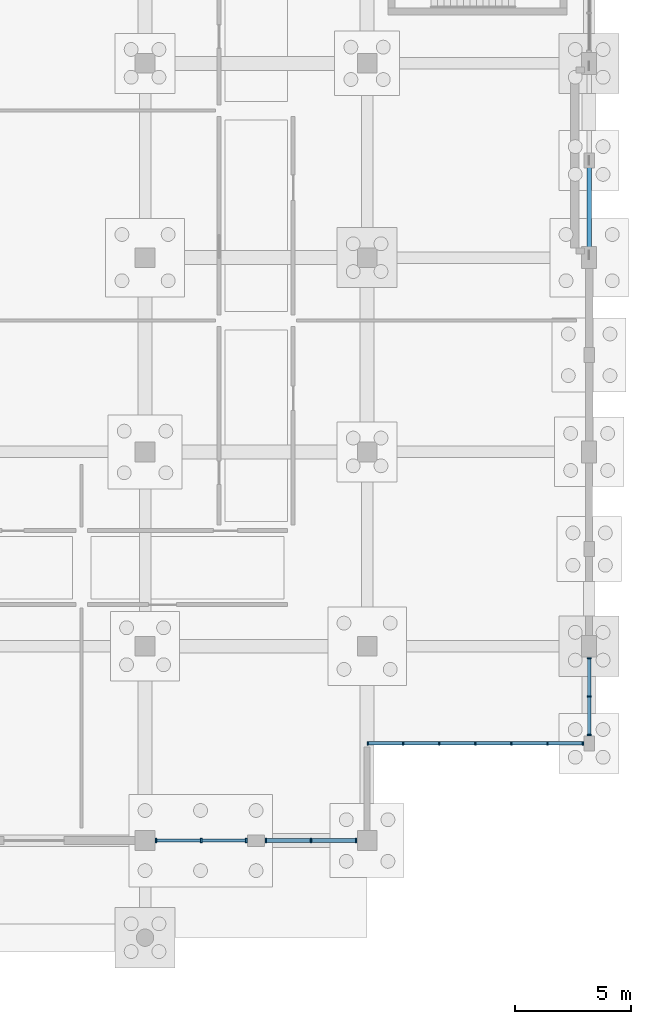
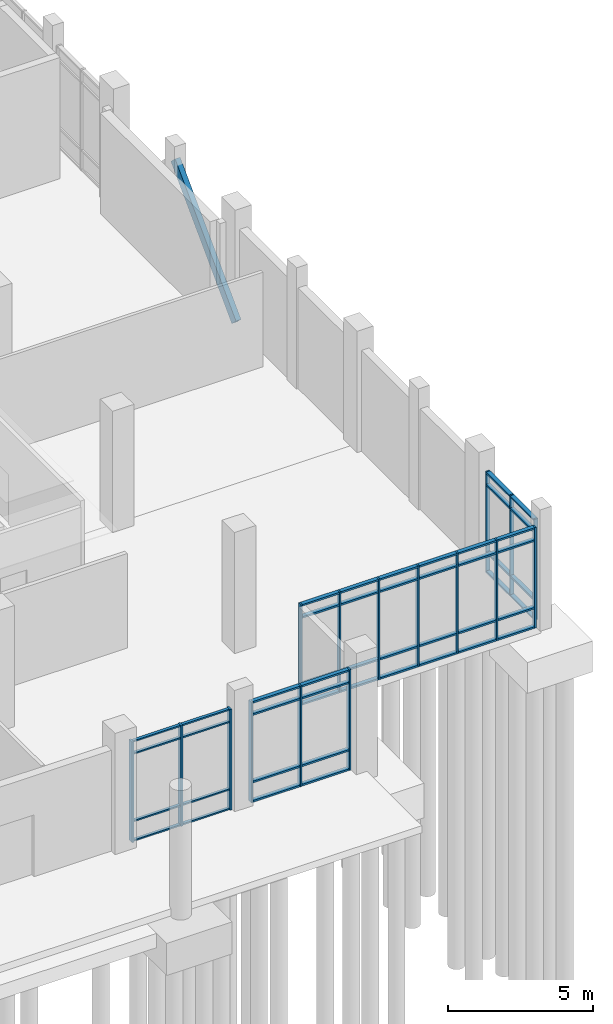
# One storey, part 57 of 136: 65 members, 4 elements without a shape of their own.
"""IFC4 building model written with IfcOpenShell, lengths in metres."""

from ifc_helpers import new_model, si_unit, direction, frame, origin, origin_2d, place, context, subcontext, project, spatial, rectangle, hollow_rectangle, extrude, material, material_profile, profile_set, type_object, element, aggregate, save


model = new_model("IFC4")

# Units and contexts
model_context = context("Model", 3, precision=1e-05, world=origin(), true_north=direction((0.0, 1.0)))
body_context = subcontext(model_context, "Body", "Model", "MODEL_VIEW")
ifc_project = project(units=[si_unit("LENGTHUNIT", "METRE"), si_unit("AREAUNIT", "SQUARE_METRE"), si_unit("VOLUMEUNIT", "CUBIC_METRE"), si_unit("PLANEANGLEUNIT", "RADIAN"), si_unit("MASSUNIT", "GRAM", prefix="KILO")], contexts=[model_context])

# Site, building, storey
site_placement = place(None, origin())
site = spatial("IfcSite", under=ifc_project, at=site_placement, CompositionType="ELEMENT")
building_placement = place(site_placement, origin())
building = spatial("IfcBuilding", under=site, at=building_placement, Name="Oolite Switchyard Hospital", CompositionType="ELEMENT")
storey_placement = place(building_placement, origin())
storey = spatial("IfcBuildingStorey", under=building, at=storey_placement, Name="L00", CompositionType="ELEMENT", Elevation=0.0)

# Curtain wall, members
ifc_material_1 = material(Name="Thermally broken aluminum frame with laminated impact glazing", Category="aluminium")
curtain_wall_type_1 = type_object("IfcCurtainWallType", Name="CW-UNIT-96X51", PredefinedType="USERDEFINED", material=ifc_material_1)
curtain_wall_1_placement = place(storey_placement, origin())
curtain_wall_1 = element("IfcCurtainWall", 1, at=curtain_wall_1_placement, inside=storey, type_object=curtain_wall_type_1, Name="L00 Unitised Curtain Wall 9", ObjectType="UNITISED", PredefinedType="USERDEFINED")
ifc_material_2 = material(Name="Aluminium 6063-T6", Category="aluminium")
ifc_material_profile_1 = material_profile(ifc_material_2, rectangle(XDim=0.159912109375, YDim=0.06005859375, at=origin_2d()), Name="CWM60X160")
ifc_profile_set_1 = profile_set([ifc_material_profile_1], Name="Aluminium 6063-T6")
member_type_1 = type_object("IfcMemberType", Name="CW-MUL-180", PredefinedType="MULLION", material=ifc_profile_set_1)
member_1_placement = place(storey_placement, frame((210.929931640625, 12.60009765625, 0.0), z_axis=(0.0, 0.0, 1.0), x_axis=(0.0, -1.0, 0.0)))
member_1 = element("IfcMember", 2, at=member_1_placement, type_object=member_type_1, Name="CW-01 mullion 1", PredefinedType="MULLION", context=body_context, shape_type="SweptSolid", body=[
    extrude(rectangle(XDim=0.159912109375, YDim=0.06005859375, at=origin_2d()), origin(), (0.0, 0.0, 1.0), 4.239990234375),
])
member_2_placement = place(storey_placement, frame((209.39990234375, 12.60009765625, 0.0), z_axis=(0.0, 0.0, 1.0), x_axis=(0.0, -1.0, 0.0)))
member_2 = element("IfcMember", 3, at=member_2_placement, type_object=member_type_1, Name="CW-01 mullion 2", PredefinedType="MULLION", context=body_context, shape_type="SweptSolid", body=[
    extrude(rectangle(XDim=0.159912109375, YDim=0.06005859375, at=origin_2d()), origin(), (0.0, 0.0, 1.0), 4.239990234375),
])
member_3_placement = place(storey_placement, frame((207.840087890625, 12.60009765625, 0.0), z_axis=(0.0, 0.0, 1.0), x_axis=(0.0, -1.0, 0.0)))
member_3 = element("IfcMember", 4, at=member_3_placement, type_object=member_type_1, Name="CW-01 mullion 3", PredefinedType="MULLION", context=body_context, shape_type="SweptSolid", body=[
    extrude(rectangle(XDim=0.159912109375, YDim=0.06005859375, at=origin_2d()), origin(), (0.0, 0.0, 1.0), 4.239990234375),
])
member_4_placement = place(storey_placement, frame((206.280029296875, 12.60009765625, 0.0), z_axis=(0.0, 0.0, 1.0), x_axis=(0.0, -1.0, 0.0)))
member_4 = element("IfcMember", 5, at=member_4_placement, type_object=member_type_1, Name="CW-01 mullion 4", PredefinedType="MULLION", context=body_context, shape_type="SweptSolid", body=[
    extrude(rectangle(XDim=0.159912109375, YDim=0.06005859375, at=origin_2d()), origin(), (0.0, 0.0, 1.0), 4.239990234375),
])
member_5_placement = place(storey_placement, frame((204.719970703125, 12.60009765625, 0.0), z_axis=(0.0, 0.0, 1.0), x_axis=(0.0, -1.0, 0.0)))
member_5 = element("IfcMember", 6, at=member_5_placement, type_object=member_type_1, Name="CW-01 mullion 5", PredefinedType="MULLION", context=body_context, shape_type="SweptSolid", body=[
    extrude(rectangle(XDim=0.159912109375, YDim=0.06005859375, at=origin_2d()), origin(), (0.0, 0.0, 1.0), 4.239990234375),
])
member_6_placement = place(storey_placement, frame((203.159912109375, 12.60009765625, 0.0), z_axis=(0.0, 0.0, 1.0), x_axis=(0.0, -1.0, 0.0)))
member_6 = element("IfcMember", 7, at=member_6_placement, type_object=member_type_1, Name="CW-01 mullion 6", PredefinedType="MULLION", context=body_context, shape_type="SweptSolid", body=[
    extrude(rectangle(XDim=0.159912109375, YDim=0.06005859375, at=origin_2d()), origin(), (0.0, 0.0, 1.0), 4.239990234375),
])
member_7_placement = place(storey_placement, frame((201.6298828125, 12.60009765625, 0.0), z_axis=(0.0, 0.0, 1.0), x_axis=(0.0, -1.0, 0.0)))
member_7 = element("IfcMember", 8, at=member_7_placement, type_object=member_type_1, Name="CW-01 mullion 7", PredefinedType="MULLION", context=body_context, shape_type="SweptSolid", body=[
    extrude(rectangle(XDim=0.159912109375, YDim=0.06005859375, at=origin_2d()), origin(), (0.0, 0.0, 1.0), 4.239990234375),
])

curtain_wall_type_2 = type_object("IfcCurtainWallType", Name="CW-UNIT-84X51", PredefinedType="USERDEFINED", material=ifc_material_1)
curtain_wall_2_placement = place(storey_placement, origin())
curtain_wall_2 = element("IfcCurtainWall", 9, at=curtain_wall_2_placement, inside=storey, type_object=curtain_wall_type_2, Name="L00 Unitised Curtain Wall 87", ObjectType="UNITISED", PredefinedType="USERDEFINED")
member_8_placement = place(storey_placement, frame((211.199951171875, 16.280029296875, 0.0), z_axis=(0.0, 0.0, 1.0), x_axis=(1.0, 0.0, 0.0)))
member_8 = element("IfcMember", 10, at=member_8_placement, type_object=member_type_1, Name="CW-06 mullion 1", PredefinedType="MULLION", context=body_context, shape_type="SweptSolid", body=[
    extrude(rectangle(XDim=0.159912109375, YDim=0.06005859375, at=origin_2d()), origin(), (0.0, 0.0, 1.0), 4.239990234375),
])
member_9_placement = place(storey_placement, frame((211.199951171875, 14.625, 0.0), z_axis=(0.0, 0.0, 1.0), x_axis=(1.0, 0.0, 0.0)))
member_9 = element("IfcMember", 11, at=member_9_placement, type_object=member_type_1, Name="CW-06 mullion 2", PredefinedType="MULLION", context=body_context, shape_type="SweptSolid", body=[
    extrude(rectangle(XDim=0.159912109375, YDim=0.06005859375, at=origin_2d()), origin(), (0.0, 0.0, 1.0), 4.239990234375),
])
member_10_placement = place(storey_placement, frame((211.199951171875, 12.969970703125, 0.0), z_axis=(0.0, 0.0, 1.0), x_axis=(1.0, 0.0, 0.0)))
member_10 = element("IfcMember", 12, at=member_10_placement, type_object=member_type_1, Name="CW-06 mullion 3", PredefinedType="MULLION", context=body_context, shape_type="SweptSolid", body=[
    extrude(rectangle(XDim=0.159912109375, YDim=0.06005859375, at=origin_2d()), origin(), (0.0, 0.0, 1.0), 4.239990234375),
])

curtain_wall_3_placement = place(storey_placement, origin())
curtain_wall_3 = element("IfcCurtainWall", 13, at=curtain_wall_3_placement, inside=storey, type_object=curtain_wall_type_2, Name="L00 Unitised Curtain Wall 7", ObjectType="UNITISED", PredefinedType="USERDEFINED")
ifc_material_profile_2 = material_profile(ifc_material_2, rectangle(XDim=0.179931640625, YDim=0.070068359375, at=origin_2d()), Name="CWM70X180")
ifc_profile_set_2 = profile_set([ifc_material_profile_2], Name="Aluminium 6063-T6")
member_type_2 = type_object("IfcMemberType", Name="CW-MUL-220", PredefinedType="MULLION", material=ifc_profile_set_2)
member_11_placement = place(storey_placement, frame((201.125, 8.39990234375, 0.0), z_axis=(0.0, 0.0, 1.0), x_axis=(0.0, -1.0, 0.0)))
member_11 = element("IfcMember", 14, at=member_11_placement, type_object=member_type_2, Name="CW-06 mullion 1", PredefinedType="MULLION", context=body_context, shape_type="SweptSolid", body=[
    extrude(rectangle(XDim=0.179931640625, YDim=0.070068359375, at=origin_2d()), origin(), (0.0, 0.0, 1.0), 4.239990234375),
])
member_12_placement = place(storey_placement, frame((199.175048828125, 8.39990234375, 0.0), z_axis=(0.0, 0.0, 1.0), x_axis=(0.0, -1.0, 0.0)))
member_12 = element("IfcMember", 15, at=member_12_placement, type_object=member_type_2, Name="CW-06 mullion 2", PredefinedType="MULLION", context=body_context, shape_type="SweptSolid", body=[
    extrude(rectangle(XDim=0.179931640625, YDim=0.070068359375, at=origin_2d()), origin(), (0.0, 0.0, 1.0), 4.239990234375),
])
member_13_placement = place(storey_placement, frame((197.22509765625, 8.39990234375, 0.0), z_axis=(0.0, 0.0, 1.0), x_axis=(0.0, -1.0, 0.0)))
member_13 = element("IfcMember", 16, at=member_13_placement, type_object=member_type_2, Name="CW-06 mullion 3", PredefinedType="MULLION", context=body_context, shape_type="SweptSolid", body=[
    extrude(rectangle(XDim=0.179931640625, YDim=0.070068359375, at=origin_2d()), origin(), (0.0, 0.0, 1.0), 4.239990234375),
])

curtain_wall_4_placement = place(storey_placement, origin())
curtain_wall_4 = element("IfcCurtainWall", 17, at=curtain_wall_4_placement, inside=storey, type_object=curtain_wall_type_2, Name="L00 Unitised Curtain Wall 8", ObjectType="UNITISED", PredefinedType="USERDEFINED")
ifc_material_profile_3 = material_profile(ifc_material_2, rectangle(XDim=0.199951171875, YDim=0.074951171875, at=origin_2d()), Name="CWM75X200")
ifc_profile_set_3 = profile_set([ifc_material_profile_3], Name="Aluminium 6063-T6")
member_type_3 = type_object("IfcMemberType", Name="CW-MUL-260", PredefinedType="MULLION", material=ifc_profile_set_3)
member_14_placement = place(storey_placement, frame((196.37255859375, 8.39990234375, 0.0), z_axis=(0.0, 0.0, 1.0), x_axis=(0.0, -1.0, 0.0)))
member_14 = element("IfcMember", 18, at=member_14_placement, type_object=member_type_3, Name="CW-06 mullion 1", PredefinedType="MULLION", context=body_context, shape_type="SweptSolid", body=[
    extrude(rectangle(XDim=0.199951171875, YDim=0.074951171875, at=origin_2d()), origin(), (0.0, 0.0, 1.0), 4.239990234375),
])
member_15_placement = place(storey_placement, frame((194.425048828125, 8.39990234375, 0.0), z_axis=(0.0, 0.0, 1.0), x_axis=(0.0, -1.0, 0.0)))
member_15 = element("IfcMember", 19, at=member_15_placement, type_object=member_type_3, Name="CW-06 mullion 2", PredefinedType="MULLION", context=body_context, shape_type="SweptSolid", body=[
    extrude(rectangle(XDim=0.199951171875, YDim=0.074951171875, at=origin_2d()), origin(), (0.0, 0.0, 1.0), 4.239990234375),
])
member_16_placement = place(storey_placement, frame((192.4775390625, 8.39990234375, 0.0), z_axis=(0.0, 0.0, 1.0), x_axis=(0.0, -1.0, 0.0)))
member_16 = element("IfcMember", 20, at=member_16_placement, type_object=member_type_3, Name="CW-06 mullion 3", PredefinedType="MULLION", context=body_context, shape_type="SweptSolid", body=[
    extrude(rectangle(XDim=0.199951171875, YDim=0.074951171875, at=origin_2d()), origin(), (0.0, 0.0, 1.0), 4.239990234375),
])
ifc_material_profile_4 = material_profile(ifc_material_2, rectangle(XDim=0.1201171875, YDim=0.06005859375, at=origin_2d()), Name="CWT60X120")
ifc_profile_set_4 = profile_set([ifc_material_profile_4], Name="Aluminium 6063-T6")
member_type_4 = type_object("IfcMemberType", Name="CW-TRN-150", PredefinedType="USERDEFINED", material=ifc_profile_set_4)
member_17_placement = place(storey_placement, frame((196.3349609375, 8.39990234375, 0.030029296875), z_axis=(-1.0, 0.0, 0.0), x_axis=(0.0, -1.0, 0.0)))
member_17 = element("IfcMember", 21, at=member_17_placement, type_object=member_type_4, Name="CW-06 transom 1.1", ObjectType="TRANSOM", PredefinedType="USERDEFINED", context=body_context, shape_type="SweptSolid", body=[
    extrude(rectangle(XDim=0.1201171875, YDim=0.06005859375, at=origin_2d()), origin(), (0.0, 0.0, 1.0), 1.87255859375),
])
member_18_placement = place(storey_placement, frame((196.3349609375, 8.39990234375, 0.85009765625), z_axis=(-1.0, 0.0, 0.0), x_axis=(0.0, -1.0, 0.0)))
member_18 = element("IfcMember", 22, at=member_18_placement, type_object=member_type_4, Name="CW-06 transom 1.2", ObjectType="TRANSOM", PredefinedType="USERDEFINED", context=body_context, shape_type="SweptSolid", body=[
    extrude(rectangle(XDim=0.1201171875, YDim=0.06005859375, at=origin_2d()), origin(), (0.0, 0.0, 1.0), 1.87255859375),
])
member_19_placement = place(storey_placement, frame((196.3349609375, 8.39990234375, 3.68994140625), z_axis=(-1.0, 0.0, 0.0), x_axis=(0.0, -1.0, 0.0)))
member_19 = element("IfcMember", 23, at=member_19_placement, type_object=member_type_4, Name="CW-06 transom 1.3", ObjectType="TRANSOM", PredefinedType="USERDEFINED", context=body_context, shape_type="SweptSolid", body=[
    extrude(rectangle(XDim=0.1201171875, YDim=0.06005859375, at=origin_2d()), origin(), (0.0, 0.0, 1.0), 1.87255859375),
])
member_20_placement = place(storey_placement, frame((196.3349609375, 8.39990234375, 4.2099609375), z_axis=(-1.0, 0.0, 0.0), x_axis=(0.0, -1.0, 0.0)))
member_20 = element("IfcMember", 24, at=member_20_placement, type_object=member_type_4, Name="CW-06 transom 1.4", ObjectType="TRANSOM", PredefinedType="USERDEFINED", context=body_context, shape_type="SweptSolid", body=[
    extrude(rectangle(XDim=0.1201171875, YDim=0.06005859375, at=origin_2d()), origin(), (0.0, 0.0, 1.0), 1.87255859375),
])
member_21_placement = place(storey_placement, frame((194.387451171875, 8.39990234375, 0.030029296875), z_axis=(-1.0, 0.0, 0.0), x_axis=(0.0, -1.0, 0.0)))
member_21 = element("IfcMember", 25, at=member_21_placement, type_object=member_type_4, Name="CW-06 transom 2.1", ObjectType="TRANSOM", PredefinedType="USERDEFINED", context=body_context, shape_type="SweptSolid", body=[
    extrude(rectangle(XDim=0.1201171875, YDim=0.06005859375, at=origin_2d()), origin(), (0.0, 0.0, 1.0), 1.87255859375),
])
member_22_placement = place(storey_placement, frame((194.387451171875, 8.39990234375, 0.85009765625), z_axis=(-1.0, 0.0, 0.0), x_axis=(0.0, -1.0, 0.0)))
member_22 = element("IfcMember", 26, at=member_22_placement, type_object=member_type_4, Name="CW-06 transom 2.2", ObjectType="TRANSOM", PredefinedType="USERDEFINED", context=body_context, shape_type="SweptSolid", body=[
    extrude(rectangle(XDim=0.1201171875, YDim=0.06005859375, at=origin_2d()), origin(), (0.0, 0.0, 1.0), 1.87255859375),
])
member_23_placement = place(storey_placement, frame((194.387451171875, 8.39990234375, 3.68994140625), z_axis=(-1.0, 0.0, 0.0), x_axis=(0.0, -1.0, 0.0)))
member_23 = element("IfcMember", 27, at=member_23_placement, type_object=member_type_4, Name="CW-06 transom 2.3", ObjectType="TRANSOM", PredefinedType="USERDEFINED", context=body_context, shape_type="SweptSolid", body=[
    extrude(rectangle(XDim=0.1201171875, YDim=0.06005859375, at=origin_2d()), origin(), (0.0, 0.0, 1.0), 1.87255859375),
])
member_24_placement = place(storey_placement, frame((194.387451171875, 8.39990234375, 4.2099609375), z_axis=(-1.0, 0.0, 0.0), x_axis=(0.0, -1.0, 0.0)))
member_24 = element("IfcMember", 28, at=member_24_placement, type_object=member_type_4, Name="CW-06 transom 2.4", ObjectType="TRANSOM", PredefinedType="USERDEFINED", context=body_context, shape_type="SweptSolid", body=[
    extrude(rectangle(XDim=0.1201171875, YDim=0.06005859375, at=origin_2d()), origin(), (0.0, 0.0, 1.0), 1.87255859375),
])
aggregate(curtain_wall_4, [member_14, member_15, member_16, member_17, member_18, member_19, member_20, member_21, member_22, member_23, member_24])

# Member
ifc_material_profile_5 = material_profile(ifc_material_2, rectangle(XDim=0.159912109375, YDim=0.074951171875, at=origin_2d()), Name="CWT75X160")
ifc_profile_set_5 = profile_set([ifc_material_profile_5], Name="Aluminium 6063-T6")
member_type_5 = type_object("IfcMemberType", Name="CW-TRN-180", PredefinedType="USERDEFINED", material=ifc_profile_set_5)
member_25_placement = place(storey_placement, frame((201.090087890625, 8.39990234375, 0.03759765625), z_axis=(-1.0, 0.0, 0.0), x_axis=(0.0, -1.0, 0.0)))
member_25 = element("IfcMember", 29, at=member_25_placement, type_object=member_type_5, Name="CW-06 transom 1.1", ObjectType="TRANSOM", PredefinedType="USERDEFINED", context=body_context, shape_type="SweptSolid", body=[
    extrude(rectangle(XDim=0.159912109375, YDim=0.074951171875, at=origin_2d()), origin(), (0.0, 0.0, 1.0), 1.880126953125),
])

member_26_placement = place(storey_placement, frame((201.090087890625, 8.39990234375, 0.85009765625), z_axis=(-1.0, 0.0, 0.0), x_axis=(0.0, -1.0, 0.0)))
member_26 = element("IfcMember", 30, at=member_26_placement, type_object=member_type_5, Name="CW-06 transom 1.2", ObjectType="TRANSOM", PredefinedType="USERDEFINED", context=body_context, shape_type="SweptSolid", body=[
    extrude(rectangle(XDim=0.159912109375, YDim=0.074951171875, at=origin_2d()), origin(), (0.0, 0.0, 1.0), 1.880126953125),
])

member_27_placement = place(storey_placement, frame((201.090087890625, 8.39990234375, 3.68994140625), z_axis=(-1.0, 0.0, 0.0), x_axis=(0.0, -1.0, 0.0)))
member_27 = element("IfcMember", 31, at=member_27_placement, type_object=member_type_5, Name="CW-06 transom 1.3", ObjectType="TRANSOM", PredefinedType="USERDEFINED", context=body_context, shape_type="SweptSolid", body=[
    extrude(rectangle(XDim=0.159912109375, YDim=0.074951171875, at=origin_2d()), origin(), (0.0, 0.0, 1.0), 1.880126953125),
])

member_28_placement = place(storey_placement, frame((201.090087890625, 8.39990234375, 4.202392578125), z_axis=(-1.0, 0.0, 0.0), x_axis=(0.0, -1.0, 0.0)))
member_28 = element("IfcMember", 32, at=member_28_placement, type_object=member_type_5, Name="CW-06 transom 1.4", ObjectType="TRANSOM", PredefinedType="USERDEFINED", context=body_context, shape_type="SweptSolid", body=[
    extrude(rectangle(XDim=0.159912109375, YDim=0.074951171875, at=origin_2d()), origin(), (0.0, 0.0, 1.0), 1.880126953125),
])

member_29_placement = place(storey_placement, frame((199.139892578125, 8.39990234375, 0.03759765625), z_axis=(-1.0, 0.0, 0.0), x_axis=(0.0, -1.0, 0.0)))
member_29 = element("IfcMember", 33, at=member_29_placement, type_object=member_type_5, Name="CW-06 transom 2.1", ObjectType="TRANSOM", PredefinedType="USERDEFINED", context=body_context, shape_type="SweptSolid", body=[
    extrude(rectangle(XDim=0.159912109375, YDim=0.074951171875, at=origin_2d()), origin(), (0.0, 0.0, 1.0), 1.8798828125),
])

member_30_placement = place(storey_placement, frame((199.139892578125, 8.39990234375, 0.85009765625), z_axis=(-1.0, 0.0, 0.0), x_axis=(0.0, -1.0, 0.0)))
member_30 = element("IfcMember", 34, at=member_30_placement, type_object=member_type_5, Name="CW-06 transom 2.2", ObjectType="TRANSOM", PredefinedType="USERDEFINED", context=body_context, shape_type="SweptSolid", body=[
    extrude(rectangle(XDim=0.159912109375, YDim=0.074951171875, at=origin_2d()), origin(), (0.0, 0.0, 1.0), 1.8798828125),
])

member_31_placement = place(storey_placement, frame((199.139892578125, 8.39990234375, 3.68994140625), z_axis=(-1.0, 0.0, 0.0), x_axis=(0.0, -1.0, 0.0)))
member_31 = element("IfcMember", 35, at=member_31_placement, type_object=member_type_5, Name="CW-06 transom 2.3", ObjectType="TRANSOM", PredefinedType="USERDEFINED", context=body_context, shape_type="SweptSolid", body=[
    extrude(rectangle(XDim=0.159912109375, YDim=0.074951171875, at=origin_2d()), origin(), (0.0, 0.0, 1.0), 1.8798828125),
])

member_32_placement = place(storey_placement, frame((199.139892578125, 8.39990234375, 4.202392578125), z_axis=(-1.0, 0.0, 0.0), x_axis=(0.0, -1.0, 0.0)))
member_32 = element("IfcMember", 36, at=member_32_placement, type_object=member_type_5, Name="CW-06 transom 2.4", ObjectType="TRANSOM", PredefinedType="USERDEFINED", context=body_context, shape_type="SweptSolid", body=[
    extrude(rectangle(XDim=0.159912109375, YDim=0.074951171875, at=origin_2d()), origin(), (0.0, 0.0, 1.0), 1.8798828125),
])

aggregate(curtain_wall_3, [member_11, member_12, member_13, member_25, member_26, member_27, member_28, member_29, member_30, member_31, member_32])

member_33_placement = place(storey_placement, frame((210.89990234375, 12.60009765625, 0.03759765625), z_axis=(-1.0, 0.0, 0.0), x_axis=(0.0, -1.0, 0.0)))
member_33 = element("IfcMember", 37, at=member_33_placement, type_object=member_type_5, Name="CW-01 transom 1.1", ObjectType="TRANSOM", PredefinedType="USERDEFINED", context=body_context, shape_type="SweptSolid", body=[
    extrude(rectangle(XDim=0.159912109375, YDim=0.074951171875, at=origin_2d()), origin(), (0.0, 0.0, 1.0), 1.469970703125),
])

member_34_placement = place(storey_placement, frame((210.89990234375, 12.60009765625, 0.85009765625), z_axis=(-1.0, 0.0, 0.0), x_axis=(0.0, -1.0, 0.0)))
member_34 = element("IfcMember", 38, at=member_34_placement, type_object=member_type_5, Name="CW-01 transom 1.2", ObjectType="TRANSOM", PredefinedType="USERDEFINED", context=body_context, shape_type="SweptSolid", body=[
    extrude(rectangle(XDim=0.159912109375, YDim=0.074951171875, at=origin_2d()), origin(), (0.0, 0.0, 1.0), 1.469970703125),
])

member_35_placement = place(storey_placement, frame((210.89990234375, 12.60009765625, 3.68994140625), z_axis=(-1.0, 0.0, 0.0), x_axis=(0.0, -1.0, 0.0)))
member_35 = element("IfcMember", 39, at=member_35_placement, type_object=member_type_5, Name="CW-01 transom 1.3", ObjectType="TRANSOM", PredefinedType="USERDEFINED", context=body_context, shape_type="SweptSolid", body=[
    extrude(rectangle(XDim=0.159912109375, YDim=0.074951171875, at=origin_2d()), origin(), (0.0, 0.0, 1.0), 1.469970703125),
])

member_36_placement = place(storey_placement, frame((210.89990234375, 12.60009765625, 4.202392578125), z_axis=(-1.0, 0.0, 0.0), x_axis=(0.0, -1.0, 0.0)))
member_36 = element("IfcMember", 40, at=member_36_placement, type_object=member_type_5, Name="CW-01 transom 1.4", ObjectType="TRANSOM", PredefinedType="USERDEFINED", context=body_context, shape_type="SweptSolid", body=[
    extrude(rectangle(XDim=0.159912109375, YDim=0.074951171875, at=origin_2d()), origin(), (0.0, 0.0, 1.0), 1.469970703125),
])

member_37_placement = place(storey_placement, frame((209.3701171875, 12.60009765625, 0.03759765625), z_axis=(-1.0, 0.0, 0.0), x_axis=(0.0, -1.0, 0.0)))
member_37 = element("IfcMember", 41, at=member_37_placement, type_object=member_type_5, Name="CW-01 transom 2.1", ObjectType="TRANSOM", PredefinedType="USERDEFINED", context=body_context, shape_type="SweptSolid", body=[
    extrude(rectangle(XDim=0.159912109375, YDim=0.074951171875, at=origin_2d()), origin(), (0.0, 0.0, 1.0), 1.5),
])

member_38_placement = place(storey_placement, frame((209.3701171875, 12.60009765625, 0.85009765625), z_axis=(-1.0, 0.0, 0.0), x_axis=(0.0, -1.0, 0.0)))
member_38 = element("IfcMember", 42, at=member_38_placement, type_object=member_type_5, Name="CW-01 transom 2.2", ObjectType="TRANSOM", PredefinedType="USERDEFINED", context=body_context, shape_type="SweptSolid", body=[
    extrude(rectangle(XDim=0.159912109375, YDim=0.074951171875, at=origin_2d()), origin(), (0.0, 0.0, 1.0), 1.5),
])

member_39_placement = place(storey_placement, frame((209.3701171875, 12.60009765625, 3.68994140625), z_axis=(-1.0, 0.0, 0.0), x_axis=(0.0, -1.0, 0.0)))
member_39 = element("IfcMember", 43, at=member_39_placement, type_object=member_type_5, Name="CW-01 transom 2.3", ObjectType="TRANSOM", PredefinedType="USERDEFINED", context=body_context, shape_type="SweptSolid", body=[
    extrude(rectangle(XDim=0.159912109375, YDim=0.074951171875, at=origin_2d()), origin(), (0.0, 0.0, 1.0), 1.5),
])

member_40_placement = place(storey_placement, frame((209.3701171875, 12.60009765625, 4.202392578125), z_axis=(-1.0, 0.0, 0.0), x_axis=(0.0, -1.0, 0.0)))
member_40 = element("IfcMember", 44, at=member_40_placement, type_object=member_type_5, Name="CW-01 transom 2.4", ObjectType="TRANSOM", PredefinedType="USERDEFINED", context=body_context, shape_type="SweptSolid", body=[
    extrude(rectangle(XDim=0.159912109375, YDim=0.074951171875, at=origin_2d()), origin(), (0.0, 0.0, 1.0), 1.5),
])

member_41_placement = place(storey_placement, frame((207.81005859375, 12.60009765625, 0.03759765625), z_axis=(-1.0, 0.0, 0.0), x_axis=(0.0, -1.0, 0.0)))
member_41 = element("IfcMember", 45, at=member_41_placement, type_object=member_type_5, Name="CW-01 transom 3.1", ObjectType="TRANSOM", PredefinedType="USERDEFINED", context=body_context, shape_type="SweptSolid", body=[
    extrude(rectangle(XDim=0.159912109375, YDim=0.074951171875, at=origin_2d()), origin(), (0.0, 0.0, 1.0), 1.5),
])

member_42_placement = place(storey_placement, frame((207.81005859375, 12.60009765625, 0.85009765625), z_axis=(-1.0, 0.0, 0.0), x_axis=(0.0, -1.0, 0.0)))
member_42 = element("IfcMember", 46, at=member_42_placement, type_object=member_type_5, Name="CW-01 transom 3.2", ObjectType="TRANSOM", PredefinedType="USERDEFINED", context=body_context, shape_type="SweptSolid", body=[
    extrude(rectangle(XDim=0.159912109375, YDim=0.074951171875, at=origin_2d()), origin(), (0.0, 0.0, 1.0), 1.5),
])

member_43_placement = place(storey_placement, frame((207.81005859375, 12.60009765625, 3.68994140625), z_axis=(-1.0, 0.0, 0.0), x_axis=(0.0, -1.0, 0.0)))
member_43 = element("IfcMember", 47, at=member_43_placement, type_object=member_type_5, Name="CW-01 transom 3.3", ObjectType="TRANSOM", PredefinedType="USERDEFINED", context=body_context, shape_type="SweptSolid", body=[
    extrude(rectangle(XDim=0.159912109375, YDim=0.074951171875, at=origin_2d()), origin(), (0.0, 0.0, 1.0), 1.5),
])

member_44_placement = place(storey_placement, frame((207.81005859375, 12.60009765625, 4.202392578125), z_axis=(-1.0, 0.0, 0.0), x_axis=(0.0, -1.0, 0.0)))
member_44 = element("IfcMember", 48, at=member_44_placement, type_object=member_type_5, Name="CW-01 transom 3.4", ObjectType="TRANSOM", PredefinedType="USERDEFINED", context=body_context, shape_type="SweptSolid", body=[
    extrude(rectangle(XDim=0.159912109375, YDim=0.074951171875, at=origin_2d()), origin(), (0.0, 0.0, 1.0), 1.5),
])

member_45_placement = place(storey_placement, frame((206.25, 12.60009765625, 0.03759765625), z_axis=(-1.0, 0.0, 0.0), x_axis=(0.0, -1.0, 0.0)))
member_45 = element("IfcMember", 49, at=member_45_placement, type_object=member_type_5, Name="CW-01 transom 4.1", ObjectType="TRANSOM", PredefinedType="USERDEFINED", context=body_context, shape_type="SweptSolid", body=[
    extrude(rectangle(XDim=0.159912109375, YDim=0.074951171875, at=origin_2d()), origin(), (0.0, 0.0, 1.0), 1.5),
])

member_46_placement = place(storey_placement, frame((206.25, 12.60009765625, 0.85009765625), z_axis=(-1.0, 0.0, 0.0), x_axis=(0.0, -1.0, 0.0)))
member_46 = element("IfcMember", 50, at=member_46_placement, type_object=member_type_5, Name="CW-01 transom 4.2", ObjectType="TRANSOM", PredefinedType="USERDEFINED", context=body_context, shape_type="SweptSolid", body=[
    extrude(rectangle(XDim=0.159912109375, YDim=0.074951171875, at=origin_2d()), origin(), (0.0, 0.0, 1.0), 1.5),
])

member_47_placement = place(storey_placement, frame((206.25, 12.60009765625, 3.68994140625), z_axis=(-1.0, 0.0, 0.0), x_axis=(0.0, -1.0, 0.0)))
member_47 = element("IfcMember", 51, at=member_47_placement, type_object=member_type_5, Name="CW-01 transom 4.3", ObjectType="TRANSOM", PredefinedType="USERDEFINED", context=body_context, shape_type="SweptSolid", body=[
    extrude(rectangle(XDim=0.159912109375, YDim=0.074951171875, at=origin_2d()), origin(), (0.0, 0.0, 1.0), 1.5),
])

member_48_placement = place(storey_placement, frame((206.25, 12.60009765625, 4.202392578125), z_axis=(-1.0, 0.0, 0.0), x_axis=(0.0, -1.0, 0.0)))
member_48 = element("IfcMember", 52, at=member_48_placement, type_object=member_type_5, Name="CW-01 transom 4.4", ObjectType="TRANSOM", PredefinedType="USERDEFINED", context=body_context, shape_type="SweptSolid", body=[
    extrude(rectangle(XDim=0.159912109375, YDim=0.074951171875, at=origin_2d()), origin(), (0.0, 0.0, 1.0), 1.5),
])

member_49_placement = place(storey_placement, frame((204.68994140625, 12.60009765625, 0.03759765625), z_axis=(-1.0, 0.0, 0.0), x_axis=(0.0, -1.0, 0.0)))
member_49 = element("IfcMember", 53, at=member_49_placement, type_object=member_type_5, Name="CW-01 transom 5.1", ObjectType="TRANSOM", PredefinedType="USERDEFINED", context=body_context, shape_type="SweptSolid", body=[
    extrude(rectangle(XDim=0.159912109375, YDim=0.074951171875, at=origin_2d()), origin(), (0.0, 0.0, 1.0), 1.5),
])

member_50_placement = place(storey_placement, frame((204.68994140625, 12.60009765625, 0.85009765625), z_axis=(-1.0, 0.0, 0.0), x_axis=(0.0, -1.0, 0.0)))
member_50 = element("IfcMember", 54, at=member_50_placement, type_object=member_type_5, Name="CW-01 transom 5.2", ObjectType="TRANSOM", PredefinedType="USERDEFINED", context=body_context, shape_type="SweptSolid", body=[
    extrude(rectangle(XDim=0.159912109375, YDim=0.074951171875, at=origin_2d()), origin(), (0.0, 0.0, 1.0), 1.5),
])

member_51_placement = place(storey_placement, frame((204.68994140625, 12.60009765625, 3.68994140625), z_axis=(-1.0, 0.0, 0.0), x_axis=(0.0, -1.0, 0.0)))
member_51 = element("IfcMember", 55, at=member_51_placement, type_object=member_type_5, Name="CW-01 transom 5.3", ObjectType="TRANSOM", PredefinedType="USERDEFINED", context=body_context, shape_type="SweptSolid", body=[
    extrude(rectangle(XDim=0.159912109375, YDim=0.074951171875, at=origin_2d()), origin(), (0.0, 0.0, 1.0), 1.5),
])

member_52_placement = place(storey_placement, frame((204.68994140625, 12.60009765625, 4.202392578125), z_axis=(-1.0, 0.0, 0.0), x_axis=(0.0, -1.0, 0.0)))
member_52 = element("IfcMember", 56, at=member_52_placement, type_object=member_type_5, Name="CW-01 transom 5.4", ObjectType="TRANSOM", PredefinedType="USERDEFINED", context=body_context, shape_type="SweptSolid", body=[
    extrude(rectangle(XDim=0.159912109375, YDim=0.074951171875, at=origin_2d()), origin(), (0.0, 0.0, 1.0), 1.5),
])

member_53_placement = place(storey_placement, frame((203.1298828125, 12.60009765625, 0.03759765625), z_axis=(-1.0, 0.0, 0.0), x_axis=(0.0, -1.0, 0.0)))
member_53 = element("IfcMember", 57, at=member_53_placement, type_object=member_type_5, Name="CW-01 transom 6.1", ObjectType="TRANSOM", PredefinedType="USERDEFINED", context=body_context, shape_type="SweptSolid", body=[
    extrude(rectangle(XDim=0.159912109375, YDim=0.074951171875, at=origin_2d()), origin(), (0.0, 0.0, 1.0), 1.469970703125),
])

member_54_placement = place(storey_placement, frame((203.1298828125, 12.60009765625, 0.85009765625), z_axis=(-1.0, 0.0, 0.0), x_axis=(0.0, -1.0, 0.0)))
member_54 = element("IfcMember", 58, at=member_54_placement, type_object=member_type_5, Name="CW-01 transom 6.2", ObjectType="TRANSOM", PredefinedType="USERDEFINED", context=body_context, shape_type="SweptSolid", body=[
    extrude(rectangle(XDim=0.159912109375, YDim=0.074951171875, at=origin_2d()), origin(), (0.0, 0.0, 1.0), 1.469970703125),
])

member_55_placement = place(storey_placement, frame((203.1298828125, 12.60009765625, 3.68994140625), z_axis=(-1.0, 0.0, 0.0), x_axis=(0.0, -1.0, 0.0)))
member_55 = element("IfcMember", 59, at=member_55_placement, type_object=member_type_5, Name="CW-01 transom 6.3", ObjectType="TRANSOM", PredefinedType="USERDEFINED", context=body_context, shape_type="SweptSolid", body=[
    extrude(rectangle(XDim=0.159912109375, YDim=0.074951171875, at=origin_2d()), origin(), (0.0, 0.0, 1.0), 1.469970703125),
])

member_56_placement = place(storey_placement, frame((203.1298828125, 12.60009765625, 4.202392578125), z_axis=(-1.0, 0.0, 0.0), x_axis=(0.0, -1.0, 0.0)))
member_56 = element("IfcMember", 60, at=member_56_placement, type_object=member_type_5, Name="CW-01 transom 6.4", ObjectType="TRANSOM", PredefinedType="USERDEFINED", context=body_context, shape_type="SweptSolid", body=[
    extrude(rectangle(XDim=0.159912109375, YDim=0.074951171875, at=origin_2d()), origin(), (0.0, 0.0, 1.0), 1.469970703125),
])

aggregate(curtain_wall_1, [member_1, member_2, member_3, member_4, member_5, member_6, member_7, member_33, member_34, member_35, member_36, member_37, member_38, member_39, member_40, member_41, member_42, member_43, member_44, member_45, member_46, member_47, member_48, member_49, member_50, member_51, member_52, member_53, member_54, member_55, member_56])

member_57_placement = place(storey_placement, frame((211.199951171875, 16.25, 0.03759765625), z_axis=(0.0, -1.0, 0.0), x_axis=(1.0, 0.0, 0.0)))
member_57 = element("IfcMember", 61, at=member_57_placement, type_object=member_type_5, Name="CW-06 transom 1.1", ObjectType="TRANSOM", PredefinedType="USERDEFINED", context=body_context, shape_type="SweptSolid", body=[
    extrude(rectangle(XDim=0.159912109375, YDim=0.074951171875, at=origin_2d()), origin(), (0.0, 0.0, 1.0), 1.594970703125),
])

member_58_placement = place(storey_placement, frame((211.199951171875, 16.25, 0.85009765625), z_axis=(0.0, -1.0, 0.0), x_axis=(1.0, 0.0, 0.0)))
member_58 = element("IfcMember", 62, at=member_58_placement, type_object=member_type_5, Name="CW-06 transom 1.2", ObjectType="TRANSOM", PredefinedType="USERDEFINED", context=body_context, shape_type="SweptSolid", body=[
    extrude(rectangle(XDim=0.159912109375, YDim=0.074951171875, at=origin_2d()), origin(), (0.0, 0.0, 1.0), 1.594970703125),
])

member_59_placement = place(storey_placement, frame((211.199951171875, 16.25, 3.68994140625), z_axis=(0.0, -1.0, 0.0), x_axis=(1.0, 0.0, 0.0)))
member_59 = element("IfcMember", 63, at=member_59_placement, type_object=member_type_5, Name="CW-06 transom 1.3", ObjectType="TRANSOM", PredefinedType="USERDEFINED", context=body_context, shape_type="SweptSolid", body=[
    extrude(rectangle(XDim=0.159912109375, YDim=0.074951171875, at=origin_2d()), origin(), (0.0, 0.0, 1.0), 1.594970703125),
])

member_60_placement = place(storey_placement, frame((211.199951171875, 16.25, 4.202392578125), z_axis=(0.0, -1.0, 0.0), x_axis=(1.0, 0.0, 0.0)))
member_60 = element("IfcMember", 64, at=member_60_placement, type_object=member_type_5, Name="CW-06 transom 1.4", ObjectType="TRANSOM", PredefinedType="USERDEFINED", context=body_context, shape_type="SweptSolid", body=[
    extrude(rectangle(XDim=0.159912109375, YDim=0.074951171875, at=origin_2d()), origin(), (0.0, 0.0, 1.0), 1.594970703125),
])

member_61_placement = place(storey_placement, frame((211.199951171875, 14.594970703125, 0.03759765625), z_axis=(0.0, -1.0, 0.0), x_axis=(1.0, 0.0, 0.0)))
member_61 = element("IfcMember", 65, at=member_61_placement, type_object=member_type_5, Name="CW-06 transom 2.1", ObjectType="TRANSOM", PredefinedType="USERDEFINED", context=body_context, shape_type="SweptSolid", body=[
    extrude(rectangle(XDim=0.159912109375, YDim=0.074951171875, at=origin_2d()), origin(), (0.0, 0.0, 1.0), 1.594970703125),
])

member_62_placement = place(storey_placement, frame((211.199951171875, 14.594970703125, 0.85009765625), z_axis=(0.0, -1.0, 0.0), x_axis=(1.0, 0.0, 0.0)))
member_62 = element("IfcMember", 66, at=member_62_placement, type_object=member_type_5, Name="CW-06 transom 2.2", ObjectType="TRANSOM", PredefinedType="USERDEFINED", context=body_context, shape_type="SweptSolid", body=[
    extrude(rectangle(XDim=0.159912109375, YDim=0.074951171875, at=origin_2d()), origin(), (0.0, 0.0, 1.0), 1.594970703125),
])

member_63_placement = place(storey_placement, frame((211.199951171875, 14.594970703125, 3.68994140625), z_axis=(0.0, -1.0, 0.0), x_axis=(1.0, 0.0, 0.0)))
member_63 = element("IfcMember", 67, at=member_63_placement, type_object=member_type_5, Name="CW-06 transom 2.3", ObjectType="TRANSOM", PredefinedType="USERDEFINED", context=body_context, shape_type="SweptSolid", body=[
    extrude(rectangle(XDim=0.159912109375, YDim=0.074951171875, at=origin_2d()), origin(), (0.0, 0.0, 1.0), 1.594970703125),
])

member_64_placement = place(storey_placement, frame((211.199951171875, 14.594970703125, 4.202392578125), z_axis=(0.0, -1.0, 0.0), x_axis=(1.0, 0.0, 0.0)))
member_64 = element("IfcMember", 68, at=member_64_placement, type_object=member_type_5, Name="CW-06 transom 2.4", ObjectType="TRANSOM", PredefinedType="USERDEFINED", context=body_context, shape_type="SweptSolid", body=[
    extrude(rectangle(XDim=0.159912109375, YDim=0.074951171875, at=origin_2d()), origin(), (0.0, 0.0, 1.0), 1.594970703125),
])

aggregate(curtain_wall_2, [member_8, member_9, member_10, member_57, member_58, member_59, member_60, member_61, member_62, member_63, member_64])

ifc_material_3 = material(Name="Steel ASTM A500 Grade C", Category="steel")
ifc_material_profile_6 = material_profile(ifc_material_3, hollow_rectangle(XDim=0.202880859375, YDim=0.406005859375, WallThickness=0.012939453125, at=origin_2d()), Name="HSS406X203X13")
ifc_profile_set_6 = profile_set([ifc_material_profile_6], Name="Steel ASTM A500 Grade C")
member_type_6 = type_object("IfcMemberType", Name="MEM-BR-RHS406", PredefinedType="BRACE", material=ifc_profile_set_6)
member_65_placement = place(storey_placement, frame((211.199951171875, 33.60009765625, 0.02001953125), z_axis=(0.0, 0.700398204698, 0.713752306375), x_axis=(-1.0, 0.0, 0.0)))
element("IfcMember", 69, at=member_65_placement, inside=storey, type_object=member_type_6, Name="L00 Chevron Brace 71", PredefinedType="BRACE", context=body_context, shape_type="SweptSolid", body=[
    extrude(hollow_rectangle(XDim=0.202880859375, YDim=0.406005859375, WallThickness=0.012939453125, at=origin_2d()), origin(), (0.0, 0.0, 1.0), 5.99658203125),
])

save(model, "model.ifc")
